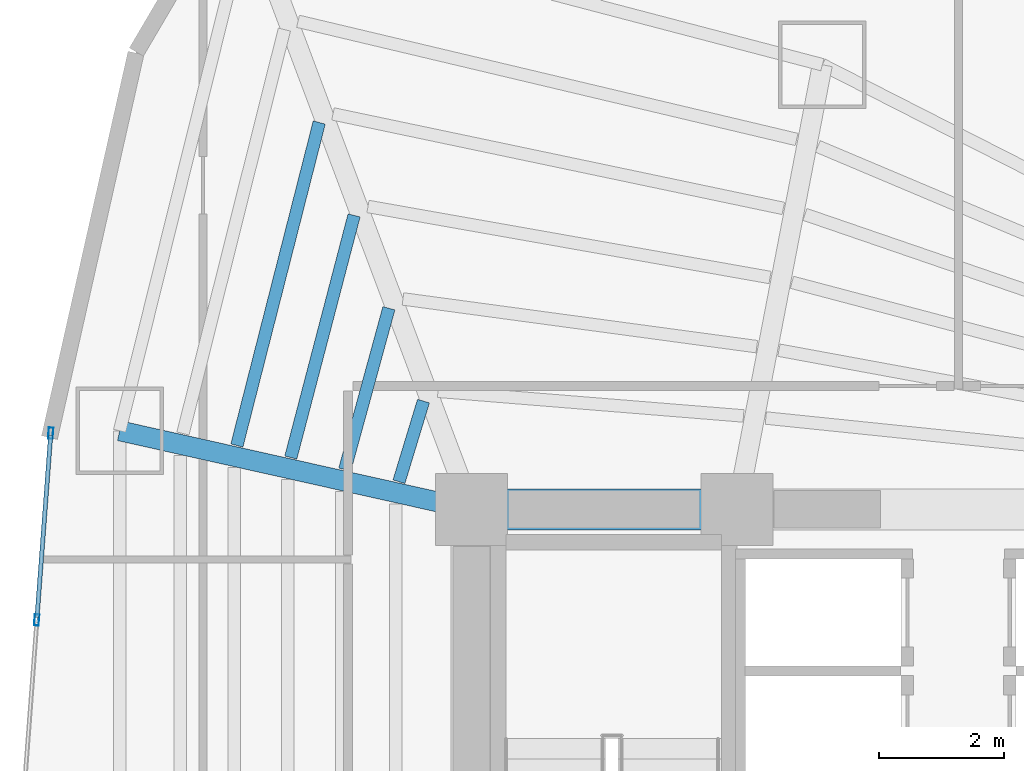
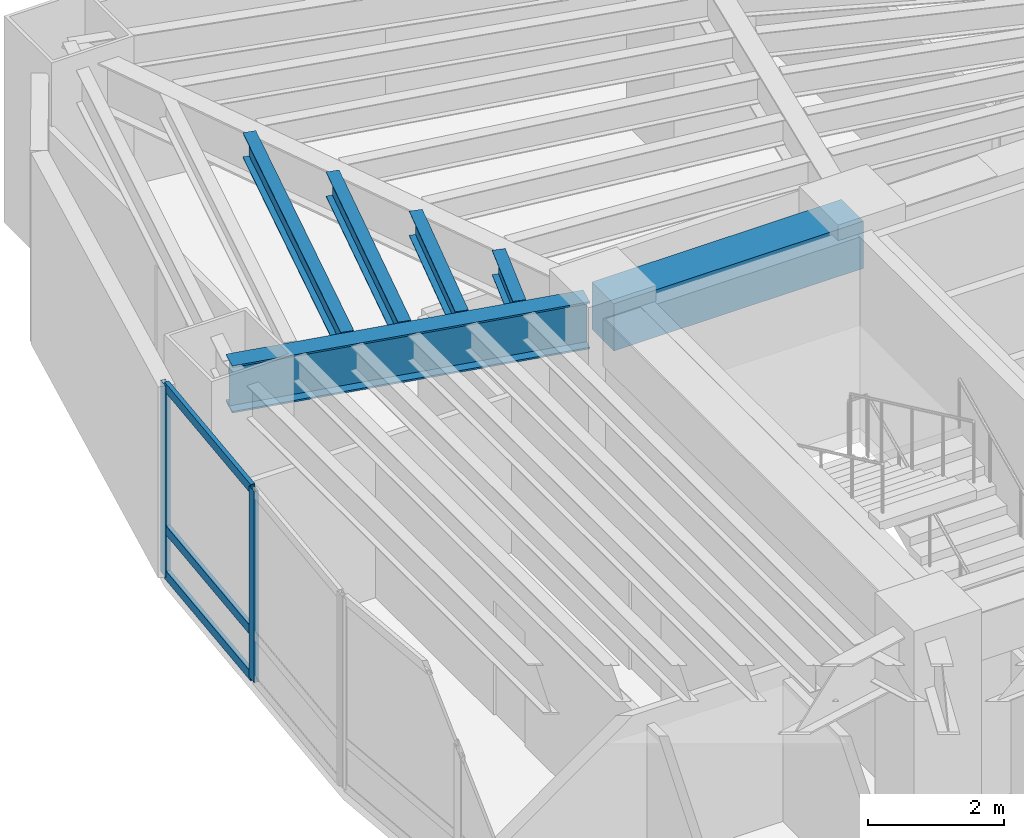
# One storey, part 8 of 20: 6 beams, 5 members, 1 element without a shape of its own.
"""IFC4 building model written with IfcOpenShell, lengths in metres."""

import ifcopenshell
import ifcopenshell.guid

model = None  # the IFC model being written
_history = None  # IfcOwnerHistory: only IFC2X3 demands one
_inside = {}  # id of a spatial element -> (the spatial element, [elements in it])
_under = {}  # id of a project, library or spatial element -> (it, [spatial elements below it])
_declared = {}  # id of a project -> (the project, [libraries it declares])
_typed = {}  # id of a type object -> (the type object, [elements of that type])
_made_of = {}  # id of a material, layer set ... -> (it, [elements and type objects made of it])


def new_model(schema):
    """Start an empty IFC model of exactly this schema.

    Asked for "IFC4X3", IfcOpenShell would pick the latest addendum, in which some entities
    have other attributes; the version numbers below select the first issue.
    IFC2X3 requires an IfcOwnerHistory on every rooted entity: one is made here for all.
    """
    global model, _history
    if schema == "IFC4X3":
        model = ifcopenshell.file(schema_version=(4, 3, 0, 0))
    else:
        model = ifcopenshell.file(schema=schema)
    _inside.clear()
    _under.clear()
    _declared.clear()
    _typed.clear()
    _made_of.clear()
    _history = None
    if model.schema == "IFC2X3":
        org = make("IfcOrganization", Name="unknown")
        user = make(
            "IfcPersonAndOrganization",
            ThePerson=make("IfcPerson", FamilyName="unknown"),
            TheOrganization=org,
        )
        app = make(
            "IfcApplication",
            ApplicationDeveloper=org,
            Version="unknown",
            ApplicationFullName="unknown",
            ApplicationIdentifier="unknown",
        )
        _history = make(
            "IfcOwnerHistory",
            OwningUser=user,
            OwningApplication=app,
            ChangeAction="ADDED",
            CreationDate=0,
        )
    return model


def make(cls, **values):
    """One entity of the class cls with the attributes given. An attribute that is None is left unset."""
    return model.create_entity(
        cls, **{name: value for name, value in values.items() if value is not None}
    )


def rooted(cls, **values):
    """An entity with a GlobalId (a new one), such as an element, a storey or a relation."""
    return make(cls, GlobalId=ifcopenshell.guid.new(), OwnerHistory=_history, **values)


def si_unit(unit_type, name, prefix=None):
    """IfcSIUnit, for example si_unit("LENGTHUNIT", "METRE", prefix="MILLI")."""
    return make("IfcSIUnit", UnitType=unit_type, Prefix=prefix, Name=name)


def assignment(units):
    """IfcUnitAssignment: the units of a project."""
    return None if units is None else make("IfcUnitAssignment", Units=units)


def point(xyz):
    """IfcCartesianPoint."""
    return None if xyz is None else make("IfcCartesianPoint", Coordinates=xyz)


def direction(xyz):
    """IfcDirection."""
    return None if xyz is None else make("IfcDirection", DirectionRatios=xyz)


def frame(location, z_axis=None, x_axis=None):
    """IfcAxis2Placement3D, a coordinate frame: its origin and axes. An axis left out is left unset."""
    return make(
        "IfcAxis2Placement3D",
        Location=point(location),
        Axis=direction(z_axis),
        RefDirection=direction(x_axis),
    )


def frame_2d(location, x_axis=None):
    """IfcAxis2Placement2D, a coordinate frame in the plane: its origin and x axis."""
    return make(
        "IfcAxis2Placement2D", Location=point(location), RefDirection=direction(x_axis)
    )


def origin():
    """The frame at (0, 0, 0) with its axes left unset."""
    return frame((0.0, 0.0, 0.0))


def origin_2d():
    """The frame at (0, 0) in the plane with its x axis left unset."""
    return frame_2d((0.0, 0.0))


def place(relative_to, where):
    """IfcLocalPlacement: puts the frame where relative to a parent placement (None: the world)."""
    return make(
        "IfcLocalPlacement", PlacementRelTo=relative_to, RelativePlacement=where
    )


def context(
    kind, dimensions, precision=None, world=None, true_north=None, identifier=None
):
    """IfcGeometricRepresentationContext, for example the 3D "Model" context."""
    return make(
        "IfcGeometricRepresentationContext",
        ContextIdentifier=identifier,
        ContextType=kind,
        CoordinateSpaceDimension=dimensions,
        Precision=precision,
        WorldCoordinateSystem=world,
        TrueNorth=true_north,
    )


def subcontext(parent, identifier, kind, view, scale=None):
    """IfcGeometricRepresentationSubContext, for example "Body" below "Model"."""
    return make(
        "IfcGeometricRepresentationSubContext",
        ContextIdentifier=identifier,
        ContextType=kind,
        ParentContext=parent,
        TargetScale=scale,
        TargetView=view,
    )


def project(units=None, contexts=None):
    """IfcProject with its units and contexts."""
    return rooted(
        "IfcProject",
        Name="project",
        RepresentationContexts=contexts,
        UnitsInContext=assignment(units),
    )


def spatial(cls, under=None, at=None, **own):
    """A site, building, storey or space (cls), placed at a placement, below another one or the project."""
    s = rooted(cls, ObjectPlacement=at, **own)
    if under is not None:
        _under.setdefault(under.id(), (under, []))[1].append(s)
    return s


def profile(cls, at=None, kind="AREA", **sizes):
    """A parametric profile (cls). Its sizes go by their IFC names, for example OverallWidth=200.0."""
    return make(cls, ProfileType=kind, Position=at, **sizes)


def rectangle(**sizes):
    """IfcRectangleProfileDef."""
    return profile("IfcRectangleProfileDef", **sizes)


def hollow_rectangle(**sizes):
    """IfcRectangleHollowProfileDef."""
    return profile("IfcRectangleHollowProfileDef", **sizes)


def i_section(**sizes):
    """IfcIShapeProfileDef."""
    return profile("IfcIShapeProfileDef", **sizes)


def extrude(swept, where, along, depth):
    """IfcExtrudedAreaSolid: the profile swept, set in the frame where, extruded along a direction by depth."""
    return make(
        "IfcExtrudedAreaSolid",
        SweptArea=swept,
        Position=where,
        ExtrudedDirection=direction(along),
        Depth=depth,
    )


def shape(context_of_items, identifier, shape_type, items):
    """IfcShapeRepresentation: the items that make up one representation, for example the "Body"."""
    return make(
        "IfcShapeRepresentation",
        ContextOfItems=context_of_items,
        RepresentationIdentifier=identifier,
        RepresentationType=shape_type,
        Items=items,
    )


def material(Name=None, Category=None):
    """IfcMaterial."""
    return make("IfcMaterial", Name=Name, Category=Category)


def layer(
    of_material, thickness, ventilated=None, Name=None, Category=None, Priority=None
):
    """IfcMaterialLayer: one layer of a wall or slab, of a material (None: an air gap)."""
    return make(
        "IfcMaterialLayer",
        Material=of_material,
        LayerThickness=thickness,
        IsVentilated=ventilated,
        Name=Name,
        Category=Category,
        Priority=Priority,
    )


def layer_set(layers, Name=None):
    """IfcMaterialLayerSet."""
    return make("IfcMaterialLayerSet", MaterialLayers=layers, LayerSetName=Name)


def material_profile(
    of_material, cross_section, Name=None, Category=None, Priority=None
):
    """IfcMaterialProfile: a cross section and its material."""
    return make(
        "IfcMaterialProfile",
        Name=Name,
        Material=of_material,
        Profile=cross_section,
        Priority=Priority,
        Category=Category,
    )


def profile_set(profiles, Name=None, composite=None):
    """IfcMaterialProfileSet."""
    return make(
        "IfcMaterialProfileSet",
        Name=Name,
        MaterialProfiles=profiles,
        CompositeProfile=composite,
    )


def made_of(thing, what):
    """Note that an element or type object is made of a material, layer set ...; save() writes the relation."""
    if what is not None:
        _made_of.setdefault(what.id(), (what, []))[1].append(thing)
    return thing


def type_object(cls, material=None, **own):
    """A type object (cls), such as IfcWallType, which elements share."""
    return made_of(rooted(cls, **own), material)


def element(
    cls,
    number,
    at=None,
    inside=None,
    cuts=None,
    type_object=None,
    material=None,
    context=None,
    identifier="Body",
    shape_type=None,
    held_by="IfcProductDefinitionShape",
    body=None,
    shapes=None,
    **own,
):
    """One element of the class cls, such as IfcWall. Its Tag is "e" and its number.

    at: its placement. inside: the storey or other place that contains it. cuts: it is an
    opening in that element (IfcRelVoidsElement). A single representation is given by context,
    identifier, shape_type and body (its items); several are given by shapes. held_by: the class
    of the entity that holds the representations. save() writes the other relations.
    """
    e = rooted(cls, Tag="e%d" % number, ObjectPlacement=at, **own)
    if body is not None:
        shapes = [shape(context, identifier, shape_type, body)]
    if shapes is not None:
        e.Representation = make(held_by, Representations=shapes)
    if inside is not None:
        _inside.setdefault(inside.id(), (inside, []))[1].append(e)
    if cuts is not None:
        rooted(
            "IfcRelVoidsElement", RelatingBuildingElement=cuts, RelatedOpeningElement=e
        )
    if type_object is not None:
        _typed.setdefault(type_object.id(), (type_object, []))[1].append(e)
    return made_of(e, material)


def aggregate(whole, parts):
    """IfcRelAggregates: a whole, such as a stair, and the parts it consists of."""
    return rooted("IfcRelAggregates", RelatingObject=whole, RelatedObjects=parts)


def save(model, path):
    """Write the relations noted so far, then the file.

    IfcRelAggregates (storeys below a building ...), IfcRelContainedInSpatialStructure (elements
    in a storey), IfcRelDefinesByType, IfcRelAssociatesMaterial and IfcRelDeclares: one each for
    every whole, place, type object, material and project.
    """
    for whole, parts in _under.values():
        aggregate(whole, parts)
    for where, things in _inside.values():
        rooted(
            "IfcRelContainedInSpatialStructure",
            RelatedElements=things,
            RelatingStructure=where,
        )
    for kind, things in _typed.values():
        rooted("IfcRelDefinesByType", RelatedObjects=things, RelatingType=kind)
    for what, things in _made_of.values():
        rooted("IfcRelAssociatesMaterial", RelatedObjects=things, RelatingMaterial=what)
    for by, libraries in _declared.values():
        rooted("IfcRelDeclares", RelatingContext=by, RelatedDefinitions=libraries)
    model.write(path)


model = new_model("IFC4")

# Units and contexts
model_context = context("Model", 3, precision=1e-05, world=origin(), true_north=direction((0.0, 1.0)))
body_context = subcontext(model_context, "Body", "Model", "MODEL_VIEW")
ifc_project = project(units=[si_unit("LENGTHUNIT", "METRE"), si_unit("AREAUNIT", "SQUARE_METRE"), si_unit("VOLUMEUNIT", "CUBIC_METRE"), si_unit("PLANEANGLEUNIT", "RADIAN"), si_unit("MASSUNIT", "GRAM", prefix="KILO")], contexts=[model_context])

# Site, building, storey
site_placement = place(None, origin())
site = spatial("IfcSite", under=ifc_project, at=site_placement, CompositionType="ELEMENT")
building_placement = place(site_placement, origin())
building = spatial("IfcBuilding", under=site, at=building_placement, Name="Menara Vayukalpa", CompositionType="ELEMENT")
storey_placement = place(building_placement, frame((0.0, 0.0, 64.800048828125)))
storey = spatial("IfcBuildingStorey", under=building, at=storey_placement, Name="L15", CompositionType="ELEMENT", Elevation=64.800048828125)

# Beams
ifc_material_1 = material(Name="Concrete C60/75", Category="concrete")
ifc_material_profile_1 = material_profile(ifc_material_1, rectangle(XDim=0.64990234375, YDim=0.85009765625, at=origin_2d()), Name="RC 650x850")
ifc_profile_set_1 = profile_set([ifc_material_profile_1], Name="Concrete C60/75")
beam_type_1 = type_object("IfcBeamType", Name="BM-CB1", PredefinedType="BEAM", material=ifc_profile_set_1)
beam_1_placement = place(storey_placement, frame((17.800048828125, 26.800048828125, 3.014892578125), z_axis=(1.0, 0.0, 0.0), x_axis=(0.0, 1.0, 0.0)))
element("IfcBeam", 1, at=beam_1_placement, inside=storey, type_object=beam_type_1, Name="L15 Core Tie Beam CBR4", PredefinedType="BEAM", context=body_context, shape_type="SweptSolid", body=[
    extrude(rectangle(XDim=0.64990234375, YDim=0.85009765625, at=origin_2d()), origin(), (0.0, 0.0, 1.0), 4.25),
])
ifc_material_2 = material(Name="Steel S355", Category="steel")
ifc_material_profile_2 = material_profile(ifc_material_2, i_section(OverallWidth=0.320068359375, OverallDepth=0.85009765625, WebThickness=0.01611328125, FlangeThickness=0.030029296875, at=origin_2d()), Name="WF 850x320x16x30")
ifc_profile_set_2 = profile_set([ifc_material_profile_2], Name="Steel S355")
beam_type_2 = type_object("IfcBeamType", Name="BM-PG2", PredefinedType="BEAM", material=ifc_profile_set_2)
beam_2_placement = place(storey_placement, frame((17.555908203125, 26.8544921875, 3.014892578125), z_axis=(-0.975920137818, 0.218128138031, 0.0), x_axis=(-0.218128138031, -0.975920137818, 0.0)))
element("IfcBeam", 2, at=beam_2_placement, inside=storey, type_object=beam_type_2, Name="L15 Primary Radial Girder RG05", PredefinedType="BEAM", context=body_context, shape_type="SweptSolid", body=[
    extrude(i_section(OverallWidth=0.320068359375, OverallDepth=0.85009765625, WebThickness=0.01611328125, FlangeThickness=0.030029296875, at=origin_2d()), origin(), (0.0, 0.0, 1.0), 5.524658203125),
])
ifc_material_3 = material(Name="Steel S355", Category="steel")
ifc_material_profile_3 = material_profile(ifc_material_3, i_section(OverallWidth=0.199951171875, OverallDepth=0.449951171875, WebThickness=0.009033203125, FlangeThickness=0.013916015625, at=origin_2d()), Name="WF 450x200x9x14")
ifc_profile_set_3 = profile_set([ifc_material_profile_3], Name="Steel S355")
beam_type_3 = type_object("IfcBeamType", Name="BM-SJ1", PredefinedType="JOIST", material=ifc_profile_set_3)
beam_3_placement = place(storey_placement, frame((17.03076171875, 28.535888671875, 3.21484375), z_axis=(-0.291010568606, -0.956719838281, 0.0), x_axis=(0.956719838281, -0.291010568606, 0.0)))
element("IfcBeam", 3, at=beam_3_placement, inside=storey, type_object=beam_type_3, Name="L15 Secondary Floor Joist SJ04-1", PredefinedType="JOIST", context=body_context, shape_type="SweptSolid", body=[
    extrude(i_section(OverallWidth=0.199951171875, OverallDepth=0.449951171875, WebThickness=0.009033203125, FlangeThickness=0.013916015625, at=origin_2d()), origin(), (0.0, 0.0, 1.0), 1.3505859375),
])
beam_4_placement = place(storey_placement, frame((16.4765625, 30.0224609375, 3.21484375), z_axis=(-0.263618546233, -0.964627006714, 0.0), x_axis=(0.964627006714, -0.263618546233, 0.0)))
element("IfcBeam", 4, at=beam_4_placement, inside=storey, type_object=beam_type_3, Name="L15 Secondary Floor Joist SJ04-2", PredefinedType="JOIST", context=body_context, shape_type="SweptSolid", body=[
    extrude(i_section(OverallWidth=0.199951171875, OverallDepth=0.449951171875, WebThickness=0.009033203125, FlangeThickness=0.013916015625, at=origin_2d()), origin(), (0.0, 0.0, 1.0), 2.67919921875),
])
beam_5_placement = place(storey_placement, frame((15.919189453125, 31.510009765625, 3.21484375), z_axis=(-0.25283833468, -0.967508540798, 0.0), x_axis=(0.967508540798, -0.25283833468, 0.0)))
element("IfcBeam", 5, at=beam_5_placement, inside=storey, type_object=beam_type_3, Name="L15 Secondary Floor Joist SJ04-3", PredefinedType="JOIST", context=body_context, shape_type="SweptSolid", body=[
    extrude(i_section(OverallWidth=0.199951171875, OverallDepth=0.449951171875, WebThickness=0.009033203125, FlangeThickness=0.013916015625, at=origin_2d()), origin(), (0.0, 0.0, 1.0), 4.00927734375),
])
beam_6_placement = place(storey_placement, frame((15.361328125, 32.997802734375, 3.21484375), z_axis=(-0.247105572938, -0.968988563309, 0.0), x_axis=(0.968988563309, -0.247105572938, 0.0)))
element("IfcBeam", 6, at=beam_6_placement, inside=storey, type_object=beam_type_3, Name="L15 Secondary Floor Joist SJ04-4", PredefinedType="JOIST", context=body_context, shape_type="SweptSolid", body=[
    extrude(i_section(OverallWidth=0.199951171875, OverallDepth=0.449951171875, WebThickness=0.009033203125, FlangeThickness=0.013916015625, at=origin_2d()), origin(), (0.0, 0.0, 1.0), 5.339111328125),
])

# Curtain wall, members
ifc_material_4 = material(Name="Anodised Terracotta Aluminium Alloy 6063-T6", Category="masonry")
ifc_layer = layer(ifc_material_4, 0.179931640625)
ifc_layer_set = layer_set([ifc_layer], Name="Anodised Terracotta Aluminium Alloy 6063-T6")
curtain_wall_type = type_object("IfcCurtainWallType", Name="CW-CW4", PredefinedType="USERDEFINED", material=ifc_layer_set)
curtain_wall_placement = place(storey_placement, origin())
curtain_wall = element("IfcCurtainWall", 7, at=curtain_wall_placement, inside=storey, type_object=curtain_wall_type, Name="L15 Sky Bar Cantilever Glazed Curtain Wall CW4 10", ObjectType="UNITISED", PredefinedType="USERDEFINED")
ifc_material_5 = material(Name="Anodised Terracotta Aluminium Alloy 6063-T6", Category="masonry")
ifc_material_profile_4 = material_profile(ifc_material_5, hollow_rectangle(XDim=0.074951171875, YDim=0.179931640625, WallThickness=0.00390625, at=origin_2d()), Name="ALU 75x180x4")
ifc_profile_set_4 = profile_set([ifc_material_profile_4], Name="Anodised Terracotta Aluminium Alloy 6063-T6")
member_type_1 = type_object("IfcMemberType", Name="CWM-CW4", PredefinedType="MULLION", material=ifc_profile_set_4)
member_1_placement = place(storey_placement, frame((11.061279296875, 28.022216796875, 0.0), z_axis=(0.0, 0.0, 1.0), x_axis=(0.997198941676, -0.074794857576, 0.0)))
member_1 = element("IfcMember", 8, at=member_1_placement, type_object=member_type_1, Name="CW4 mullion 1", PredefinedType="MULLION", context=body_context, shape_type="SweptSolid", body=[
    extrude(hollow_rectangle(XDim=0.074951171875, YDim=0.179931640625, WallThickness=0.00390625, at=origin_2d()), origin(), (0.0, 0.0, 1.0), 3.43994140625),
])
member_2_placement = place(storey_placement, frame((10.8369140625, 25.02978515625, 0.0), z_axis=(0.0, 0.0, 1.0), x_axis=(0.997198941676, -0.074794857576, 0.0)))
member_2 = element("IfcMember", 9, at=member_2_placement, type_object=member_type_1, Name="CW4 mullion 2", PredefinedType="MULLION", context=body_context, shape_type="SweptSolid", body=[
    extrude(hollow_rectangle(XDim=0.074951171875, YDim=0.179931640625, WallThickness=0.00390625, at=origin_2d()), origin(), (0.0, 0.0, 1.0), 3.43994140625),
])
ifc_material_6 = material(Name="Anodised Terracotta Aluminium Alloy 6063-T6", Category="masonry")
ifc_material_profile_5 = material_profile(ifc_material_6, hollow_rectangle(XDim=0.070068359375, YDim=0.1650390625, WallThickness=0.00390625, at=origin_2d()), Name="ALU 70x165x4")
ifc_profile_set_5 = profile_set([ifc_material_profile_5], Name="Anodised Terracotta Aluminium Alloy 6063-T6")
member_type_2 = type_object("IfcMemberType", Name="CWT-CW4", PredefinedType="USERDEFINED", material=ifc_profile_set_5)
member_3_placement = place(storey_placement, frame((11.05859375, 27.98486328125, 0.034912109375), z_axis=(-0.074762981632, -0.997201332017, 0.0), x_axis=(0.997201332017, -0.074762981632, 0.0)))
member_3 = element("IfcMember", 10, at=member_3_placement, type_object=member_type_2, Name="CW4 transom 1.1", ObjectType="TRANSOM", PredefinedType="USERDEFINED", context=body_context, shape_type="SweptSolid", body=[
    extrude(hollow_rectangle(XDim=0.070068359375, YDim=0.1650390625, WallThickness=0.00390625, at=origin_2d()), origin(), (0.0, 0.0, 1.0), 2.926025390625),
])
member_4_placement = place(storey_placement, frame((11.05859375, 27.98486328125, 0.849853515625), z_axis=(-0.074762981632, -0.997201332017, 0.0), x_axis=(0.997201332017, -0.074762981632, 0.0)))
member_4 = element("IfcMember", 11, at=member_4_placement, type_object=member_type_2, Name="CW4 transom 1.2", ObjectType="TRANSOM", PredefinedType="USERDEFINED", context=body_context, shape_type="SweptSolid", body=[
    extrude(hollow_rectangle(XDim=0.070068359375, YDim=0.1650390625, WallThickness=0.00390625, at=origin_2d()), origin(), (0.0, 0.0, 1.0), 2.926025390625),
])
member_5_placement = place(storey_placement, frame((11.05859375, 27.98486328125, 3.405029296875), z_axis=(-0.074762981632, -0.997201332017, 0.0), x_axis=(0.997201332017, -0.074762981632, 0.0)))
member_5 = element("IfcMember", 12, at=member_5_placement, type_object=member_type_2, Name="CW4 transom 1.3", ObjectType="TRANSOM", PredefinedType="USERDEFINED", context=body_context, shape_type="SweptSolid", body=[
    extrude(hollow_rectangle(XDim=0.070068359375, YDim=0.1650390625, WallThickness=0.00390625, at=origin_2d()), origin(), (0.0, 0.0, 1.0), 2.926025390625),
])
aggregate(curtain_wall, [member_1, member_2, member_3, member_4, member_5])

save(model, "model.ifc")
